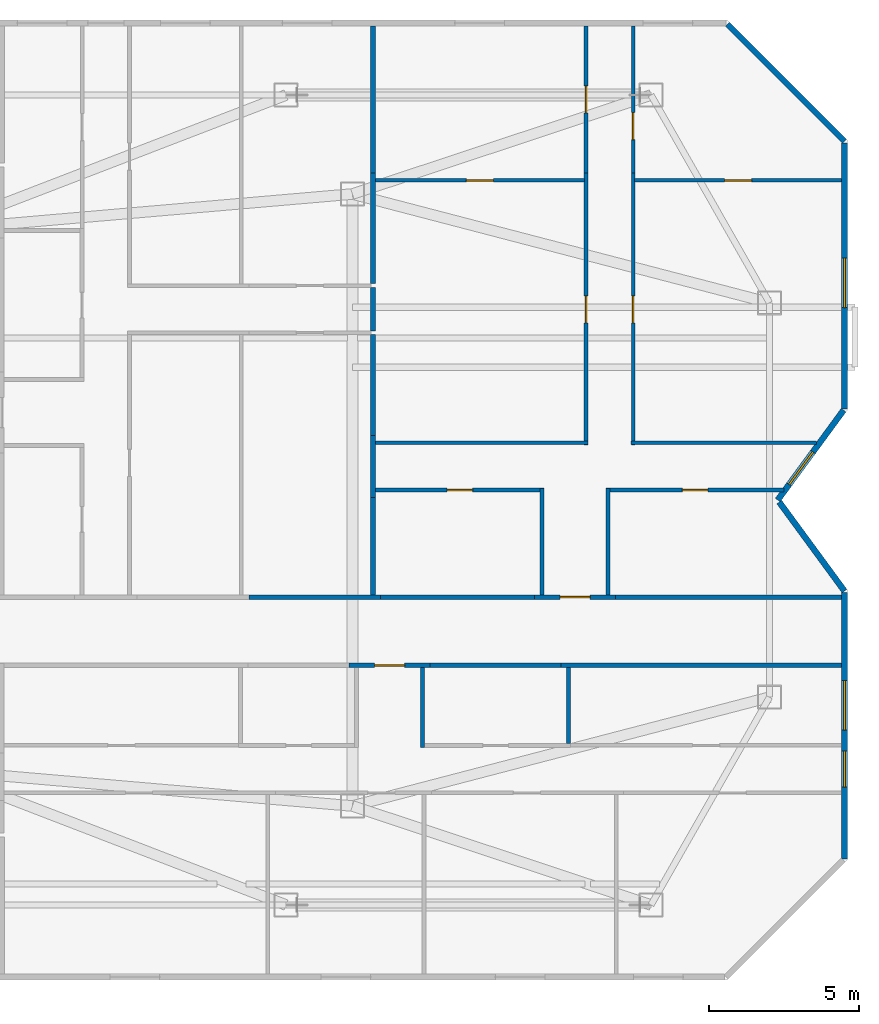
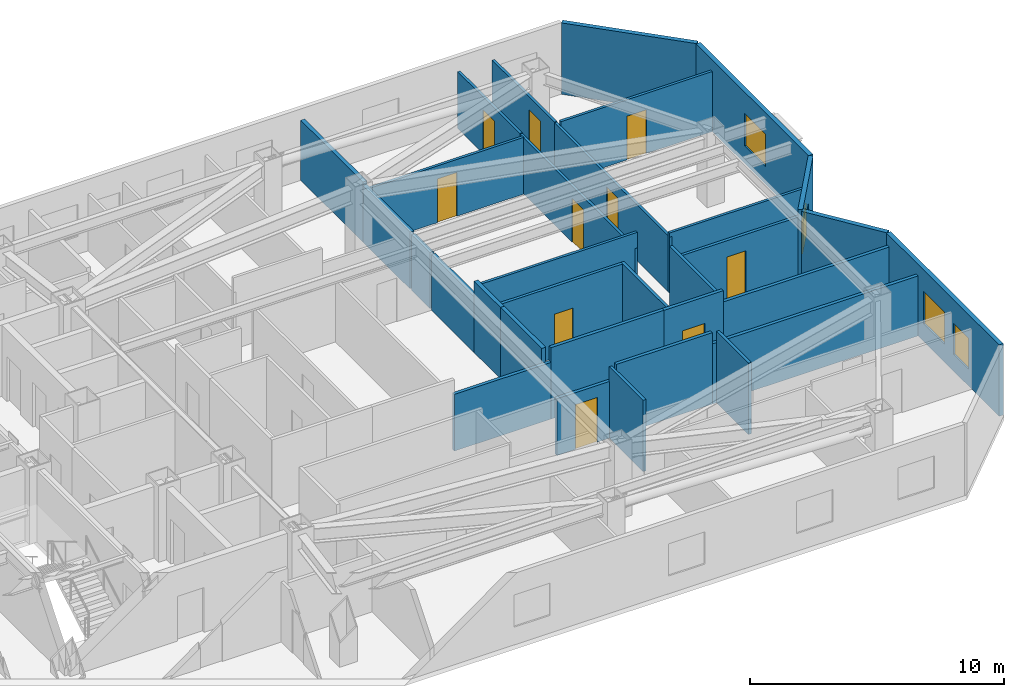
# One storey, part 8 of 10: 32 walls, 10 doors, 4 windows, 14 openings.
"""IFC4 building model written with IfcOpenShell, lengths in metres."""

from ifc_helpers import new_model, si_unit, direction, frame, frame_2d, origin, place, context, subcontext, project, spatial, rectangle, extrude, material, layer, layer_set, type_object, element, fill, save


model = new_model("IFC4")

# Units and contexts
model_context = context("Model", 3, precision=1e-05, world=origin(), true_north=direction((0.0, 1.0)))
body_context = subcontext(model_context, "Body", "Model", "MODEL_VIEW")
ifc_project = project(units=[si_unit("LENGTHUNIT", "METRE"), si_unit("AREAUNIT", "SQUARE_METRE"), si_unit("VOLUMEUNIT", "CUBIC_METRE"), si_unit("PLANEANGLEUNIT", "RADIAN"), si_unit("MASSUNIT", "GRAM", prefix="KILO")], contexts=[model_context])

# Site, building, storey
site_placement = place(None, origin())
site = spatial("IfcSite", under=ifc_project, at=site_placement, CompositionType="ELEMENT")
building_placement = place(site_placement, origin())
building = spatial("IfcBuilding", under=site, at=building_placement, Name="Khamvora Tower", CompositionType="ELEMENT")
storey_placement = place(building_placement, frame((0.0, 0.0, 246.39990234375)))
storey = spatial("IfcBuildingStorey", under=building, at=storey_placement, Name="L63", CompositionType="ELEMENT", Elevation=246.39990234375)

# Wall
ifc_material_1 = material(Name="Fire-Rated Drywall and Steel Stud", Category="steel")
ifc_layer_1 = layer(ifc_material_1, 0.14990234375)
ifc_layer_set_1 = layer_set([ifc_layer_1], Name="Fire-Rated Drywall and Steel Stud")
wall_type_1 = type_object("IfcWallType", Name="WAL-CORR-150", PredefinedType="STANDARD", material=ifc_layer_set_1)
wall_1_placement = place(storey_placement, frame((69.60791015625, 22.485107421875, 0.0), z_axis=(0.0, 0.0, 1.0), x_axis=(-1.0, 0.0, 0.0)))
element("IfcWall", 1, at=wall_1_placement, inside=storey, type_object=wall_type_1, Name="L63 interior partition wall 020", PredefinedType="STANDARD", context=body_context, shape_type="SweptSolid", body=[
    extrude(rectangle(XDim=9.35693359375, YDim=0.14990234375, at=frame_2d((4.678466796875, 0.0))), origin(), (0.0, 0.0, 1.0), 2.88720703125),
])

# Wall, opening, door
wall_2_placement = place(storey_placement, frame((55.884033203125, 22.485107421875, 0.0), z_axis=(0.0, 0.0, 1.0), x_axis=(-1.0, 0.0, 0.0)))
wall_2 = element("IfcWall", 2, at=wall_2_placement, inside=storey, type_object=wall_type_1, Name="L63 interior partition wall 021", PredefinedType="STANDARD", context=body_context, shape_type="SweptSolid", body=[
    extrude(rectangle(XDim=2.697998046875, YDim=0.14990234375, at=frame_2d((1.34912109375, 0.0))), origin(), (0.0, 0.0, 1.0), 2.72509765625),
])
opening_1_placement = place(wall_2_placement, frame((0.84912109375, 0.0, 0.0)))
opening_1 = element("IfcOpeningElement", 3, at=opening_1_placement, cuts=wall_2, Name="Opening D-U1", PredefinedType="OPENING", context=body_context, shape_type="SweptSolid", body=[
    extrude(rectangle(XDim=1.0, YDim=2.14990234375, at=frame_2d((0.5, 1.074951171875))), frame((0.0, 0.0849609375, 0.0), z_axis=(0.0, -1.0, 0.0), x_axis=(1.0, 0.0, 0.0)), (0.0, 0.0, 1.0), 0.169921875),
])
ifc_material_2 = material(Name="Powder-Coated Steel and Hardwood Leaf", Category="steel")
door_type_1 = type_object("IfcDoorType", Name="DOR-UNIT-1000", OperationType="NOTDEFINED", PredefinedType="DOOR", material=ifc_material_2)
door_1_placement = place(opening_1_placement, origin())
door_1 = element("IfcDoor", 4, at=door_1_placement, inside=storey, type_object=door_type_1, Name="L63 interior door COR-63EAH", OperationType="SINGLE_SWING_LEFT", OverallHeight=2.14990234375, OverallWidth=1.0, PredefinedType="DOOR", context=body_context, shape_type="SweptSolid", body=[
    extrude(rectangle(XDim=1.0, YDim=2.14990234375, at=frame_2d((0.5, 1.074951171875))), frame((0.0, 0.02490234375, 0.0), z_axis=(0.0, -1.0, 0.0), x_axis=(1.0, 0.0, 0.0)), (0.0, 0.0, 1.0), 0.050048828125),
])
fill(opening_1, door_1)

# Walls
wall_3_placement = place(storey_placement, frame((60.2509765625, 22.485107421875, 0.0), z_axis=(0.0, 0.0, 1.0), x_axis=(-1.0, 0.0, 0.0)))
element("IfcWall", 5, at=wall_3_placement, inside=storey, type_object=wall_type_1, Name="L63 interior partition wall 024", PredefinedType="STANDARD", context=body_context, shape_type="SweptSolid", body=[
    extrude(rectangle(XDim=4.366943359375, YDim=0.14990234375, at=frame_2d((2.18359375, 0.0))), origin(), (0.0, 0.0, 1.0), 3.43017578125),
])
wall_4_placement = place(storey_placement, frame((49.844970703125, 24.764892578125, 0.0), z_axis=(0.0, 0.0, 1.0), x_axis=(1.0, 0.0, 0.0)))
element("IfcWall", 6, at=wall_4_placement, inside=storey, type_object=wall_type_1, Name="L63 interior partition wall 033", PredefinedType="STANDARD", context=body_context, shape_type="SweptSolid", body=[
    extrude(rectangle(XDim=4.388916015625, YDim=0.14990234375, at=frame_2d((2.1943359375, 0.0))), origin(), (0.0, 0.0, 1.0), 2.72509765625),
])

# Wall, opening, door
wall_5_placement = place(storey_placement, frame((59.37109375, 24.764892578125, 0.0), z_axis=(0.0, 0.0, 1.0), x_axis=(1.0, 0.0, 0.0)))
wall_5 = element("IfcWall", 7, at=wall_5_placement, inside=storey, type_object=wall_type_1, Name="L63 interior partition wall 034", PredefinedType="STANDARD", context=body_context, shape_type="SweptSolid", body=[
    extrude(rectangle(XDim=2.697998046875, YDim=0.14990234375, at=frame_2d((1.34912109375, 0.0))), origin(), (0.0, 0.0, 1.0), 3.43017578125),
])
opening_2_placement = place(wall_5_placement, frame((0.84912109375, 0.0, 0.0)))
opening_2 = element("IfcOpeningElement", 8, at=opening_2_placement, cuts=wall_5, Name="Opening D-U1", PredefinedType="OPENING", context=body_context, shape_type="SweptSolid", body=[
    extrude(rectangle(XDim=1.0, YDim=2.14990234375, at=frame_2d((0.5, 1.074951171875))), frame((0.0, 0.0849609375, 0.0), z_axis=(0.0, -1.0, 0.0), x_axis=(1.0, 0.0, 0.0)), (0.0, 0.0, 1.0), 0.169921875),
])
door_2_placement = place(opening_2_placement, origin())
door_2 = element("IfcDoor", 9, at=door_2_placement, inside=storey, type_object=door_type_1, Name="L63 interior door COR-63ECH", OperationType="SINGLE_SWING_LEFT", OverallHeight=2.14990234375, OverallWidth=1.0, PredefinedType="DOOR", context=body_context, shape_type="SweptSolid", body=[
    extrude(rectangle(XDim=1.0, YDim=2.14990234375, at=frame_2d((0.5, 1.074951171875))), frame((0.0, 0.02490234375, 0.0), z_axis=(0.0, -1.0, 0.0), x_axis=(1.0, 0.0, 0.0)), (0.0, 0.0, 1.0), 0.050048828125),
])
fill(opening_2, door_2)

# Walls
wall_6_placement = place(storey_placement, frame((54.23388671875, 24.764892578125, 0.0), z_axis=(0.0, 0.0, 1.0), x_axis=(1.0, 0.0, 0.0)))
element("IfcWall", 10, at=wall_6_placement, inside=storey, type_object=wall_type_1, Name="L63 interior partition wall 035", PredefinedType="STANDARD", context=body_context, shape_type="SweptSolid", body=[
    extrude(rectangle(XDim=5.13720703125, YDim=0.14990234375, at=frame_2d((2.568603515625, 0.0))), origin(), (0.0, 0.0, 1.0), 3.43017578125),
])
wall_7_placement = place(storey_placement, frame((62.069091796875, 24.764892578125, 0.0), z_axis=(0.0, 0.0, 1.0), x_axis=(1.0, 0.0, 0.0)))
element("IfcWall", 11, at=wall_7_placement, inside=storey, type_object=wall_type_1, Name="L63 interior partition wall 036", PredefinedType="STANDARD", context=body_context, shape_type="SweptSolid", body=[
    extrude(rectangle(XDim=7.538818359375, YDim=0.14990234375, at=frame_2d((3.76953125, 0.0))), origin(), (0.0, 0.0, 1.0), 2.88720703125),
])
ifc_material_3 = material(Name="Acoustic Double-Stud Fire Wall", Category="gypsum")
ifc_layer_2 = layer(ifc_material_3, 0.179931640625)
ifc_layer_set_2 = layer_set([ifc_layer_2], Name="Acoustic Double-Stud Fire Wall")
wall_type_2 = type_object("IfcWallType", Name="WAL-CORR-180", PredefinedType="STANDARD", material=ifc_layer_set_2)
wall_8_placement = place(storey_placement, frame((53.985107421875, 35.080078125, 0.0), z_axis=(0.0, 0.0, 1.0), x_axis=(0.0, -1.0, 0.0)))
element("IfcWall", 12, at=wall_8_placement, inside=storey, type_object=wall_type_2, Name="L63 interior partition wall 089", PredefinedType="STANDARD", context=body_context, shape_type="SweptSolid", body=[
    extrude(rectangle(XDim=1.440185546875, YDim=0.179931640625, at=frame_2d((0.72021484375, 0.0))), origin(), (0.0, 0.0, 1.0), 2.68701171875),
])
wall_9_placement = place(storey_placement, frame((53.985107421875, 30.155029296875, 0.0), z_axis=(0.0, 0.0, 1.0), x_axis=(0.0, -1.0, 0.0)))
element("IfcWall", 13, at=wall_9_placement, inside=storey, type_object=wall_type_2, Name="L63 interior partition wall 091", PredefinedType="STANDARD", context=body_context, shape_type="SweptSolid", body=[
    extrude(rectangle(XDim=2.078125, YDim=0.179931640625, at=frame_2d((1.0390625, 0.0))), origin(), (0.0, 0.0, 1.0), 3.43017578125),
])
wall_10_placement = place(storey_placement, frame((53.985107421875, 28.076904296875, 0.0), z_axis=(0.0, 0.0, 1.0), x_axis=(0.0, -1.0, 0.0)))
element("IfcWall", 14, at=wall_10_placement, inside=storey, type_object=wall_type_2, Name="L63 interior partition wall 092", PredefinedType="STANDARD", context=body_context, shape_type="SweptSolid", body=[
    extrude(rectangle(XDim=3.244873046875, YDim=0.179931640625, at=frame_2d((1.62255859375, 0.0))), origin(), (0.0, 0.0, 1.0), 3.43017578125),
])
wall_11_placement = place(storey_placement, frame((53.985107421875, 33.510009765625, 0.0), z_axis=(0.0, 0.0, 1.0), x_axis=(0.0, -1.0, 0.0)))
element("IfcWall", 15, at=wall_11_placement, inside=storey, type_object=wall_type_2, Name="L63 interior partition wall 093", PredefinedType="STANDARD", context=body_context, shape_type="SweptSolid", body=[
    extrude(rectangle(XDim=3.35498046875, YDim=0.179931640625, at=frame_2d((1.677490234375, 0.0))), origin(), (0.0, 0.0, 1.0), 2.68701171875),
])
wall_12_placement = place(storey_placement, frame((53.985107421875, 38.906005859375, 0.0), z_axis=(0.0, 0.0, 1.0), x_axis=(0.0, -1.0, 0.0)))
element("IfcWall", 16, at=wall_12_placement, inside=storey, type_object=wall_type_2, Name="L63 interior partition wall 095", PredefinedType="STANDARD", context=body_context, shape_type="SweptSolid", body=[
    extrude(rectangle(XDim=3.696044921875, YDim=0.179931640625, at=frame_2d((1.84814453125, 0.0))), origin(), (0.0, 0.0, 1.0), 2.72509765625),
])
wall_13_placement = place(storey_placement, frame((53.985107421875, 43.80810546875, 0.0), z_axis=(0.0, 0.0, 1.0), x_axis=(0.0, -1.0, 0.0)))
element("IfcWall", 17, at=wall_13_placement, inside=storey, type_object=wall_type_2, Name="L63 interior partition wall 096", PredefinedType="STANDARD", context=body_context, shape_type="SweptSolid", body=[
    extrude(rectangle(XDim=4.902099609375, YDim=0.179931640625, at=frame_2d((2.451171875, 0.0))), origin(), (0.0, 0.0, 1.0), 2.88720703125),
])
ifc_material_4 = material(Name="Precast concrete C40/50", Category="concrete")
ifc_layer_3 = layer(ifc_material_4, 0.199951171875)
ifc_layer_set_3 = layer_set([ifc_layer_3], Name="Precast concrete C40/50")
wall_type_3 = type_object("IfcWallType", Name="WAL-EXT-200", PredefinedType="STANDARD", material=ifc_layer_set_3)
wall_14_placement = place(storey_placement, frame((65.802001953125, 43.85693359375, 0.0), z_axis=(0.0, 0.0, 1.0), x_axis=(0.707106781187, -0.707106781187, 0.0)))
element("IfcWall", 18, at=wall_14_placement, inside=storey, type_object=wall_type_3, Name="L63 exterior facade wall 08.1", PredefinedType="STANDARD", context=body_context, shape_type="SweptSolid", body=[
    extrude(rectangle(XDim=5.512451171875, YDim=0.199951171875, at=frame_2d((2.75634765625, 0.0))), origin(), (0.0, 0.0, 1.0), 3.43017578125),
])

# Wall, opening, window
wall_15_placement = place(storey_placement, frame((69.699951171875, 39.89599609375, 0.0), z_axis=(0.0, 0.0, 1.0), x_axis=(0.0, -1.0, 0.0)))
wall_15 = element("IfcWall", 19, at=wall_15_placement, inside=storey, type_object=wall_type_3, Name="L63 exterior facade wall 09.1", PredefinedType="STANDARD", context=body_context, shape_type="SweptSolid", body=[
    extrude(rectangle(XDim=8.863037109375, YDim=0.199951171875, at=frame_2d((4.431640625, 0.0))), origin(), (0.0, 0.0, 1.0), 3.43017578125),
])
opening_3_placement = place(wall_15_placement, frame((3.833984375, 0.0, 0.85009765625)))
opening_3 = element("IfcOpeningElement", 20, at=opening_3_placement, cuts=wall_15, Name="Opening WN-06", PredefinedType="OPENING", context=body_context, shape_type="SweptSolid", body=[
    extrude(rectangle(XDim=1.64990234375, YDim=1.550048828125, at=frame_2d((0.824951171875, 0.77490234375))), frame((0.0, 0.10986328125, 0.0), z_axis=(0.0, -1.0, 0.0), x_axis=(1.0, 0.0, 0.0)), (0.0, 0.0, 1.0), 0.219970703125),
])
ifc_material_5 = material(Name="Low-E Laminated Double Glazing", Category="glass")
window_type_1 = type_object("IfcWindowType", Name="WIN-VIS-1650x1550", PartitioningType="SINGLE_PANEL", PredefinedType="WINDOW", material=ifc_material_5)
window_1_placement = place(opening_3_placement, origin())
window_1 = element("IfcWindow", 21, at=window_1_placement, inside=storey, type_object=window_type_1, Name="L63 vision window 09.1.01", OverallHeight=1.550048828125, OverallWidth=1.64990234375, PartitioningType="SINGLE_PANEL", PredefinedType="WINDOW", context=body_context, shape_type="SweptSolid", body=[
    extrude(rectangle(XDim=1.64990234375, YDim=1.550048828125, at=frame_2d((0.824951171875, 0.77490234375))), frame((0.0, 0.030029296875, 0.0), z_axis=(0.0, -1.0, 0.0), x_axis=(1.0, 0.0, 0.0)), (0.0, 0.0, 1.0), 0.06005859375),
])
fill(opening_3, window_1)

wall_16_placement = place(storey_placement, frame((69.669921875, 30.991943359375, 0.0), z_axis=(0.0, 0.0, 1.0), x_axis=(-0.591320870733, -0.806436375566, 0.0)))
wall_16 = element("IfcWall", 22, at=wall_16_placement, inside=storey, type_object=wall_type_3, Name="L63 exterior facade wall 10.1", PredefinedType="STANDARD", context=body_context, shape_type="SweptSolid", body=[
    extrude(rectangle(XDim=3.7099609375, YDim=0.199951171875, at=frame_2d((1.85498046875, 0.0))), origin(), (0.0, 0.0, 1.0), 3.43017578125),
])
opening_4_placement = place(wall_16_placement, frame((1.722900390625, 0.0, 0.85009765625)))
opening_4 = element("IfcOpeningElement", 23, at=opening_4_placement, cuts=wall_16, Name="Opening WN-07", PredefinedType="OPENING", context=body_context, shape_type="SweptSolid", body=[
    extrude(rectangle(XDim=1.35009765625, YDim=1.5, at=frame_2d((0.675048828125, 0.75))), frame((0.0, 0.10986328125, 0.0), z_axis=(0.0, -1.0, 0.0), x_axis=(1.0, 0.0, 0.0)), (0.0, 0.0, 1.0), 0.219970703125),
])
window_type_2 = type_object("IfcWindowType", Name="WIN-VIS-1350x1500", PartitioningType="SINGLE_PANEL", PredefinedType="WINDOW", material=ifc_material_5)
window_2_placement = place(opening_4_placement, origin())
window_2 = element("IfcWindow", 24, at=window_2_placement, inside=storey, type_object=window_type_2, Name="L63 vision window 10.1.01", OverallHeight=1.5, OverallWidth=1.35009765625, PartitioningType="SINGLE_PANEL", PredefinedType="WINDOW", context=body_context, shape_type="SweptSolid", body=[
    extrude(rectangle(XDim=1.35009765625, YDim=1.5, at=frame_2d((0.675048828125, 0.75))), frame((0.0, 0.030029296875, 0.0), z_axis=(0.0, -1.0, 0.0), x_axis=(1.0, 0.0, 0.0)), (0.0, 0.0, 1.0), 0.06005859375),
])
fill(opening_4, window_2)

# Wall
wall_17_placement = place(storey_placement, frame((67.527099609375, 27.930908203125, 0.0), z_axis=(0.0, 0.0, 1.0), x_axis=(0.591248456881, -0.80648946815, 0.0)))
element("IfcWall", 25, at=wall_17_placement, inside=storey, type_object=wall_type_3, Name="L63 exterior facade wall 11.1", PredefinedType="STANDARD", context=body_context, shape_type="SweptSolid", body=[
    extrude(rectangle(XDim=3.675048828125, YDim=0.199951171875, at=frame_2d((1.83740234375, 0.0))), origin(), (0.0, 0.0, 1.0), 3.43017578125),
])

# Wall, openings, windows
wall_18_placement = place(storey_placement, frame((69.699951171875, 24.916015625, 0.0), z_axis=(0.0, 0.0, 1.0), x_axis=(0.0, -1.0, 0.0)))
wall_18 = element("IfcWall", 26, at=wall_18_placement, inside=storey, type_object=wall_type_3, Name="L63 exterior facade wall 12.1", PredefinedType="STANDARD", context=body_context, shape_type="SweptSolid", body=[
    extrude(rectangle(XDim=8.875, YDim=0.199951171875, at=frame_2d((4.4375, 0.0))), origin(), (0.0, 0.0, 1.0), 3.43017578125),
])
opening_5_placement = place(wall_18_placement, frame((2.93896484375, 0.0, 0.85009765625)))
opening_5 = element("IfcOpeningElement", 27, at=opening_5_placement, cuts=wall_18, Name="Opening WN-06", PredefinedType="OPENING", context=body_context, shape_type="SweptSolid", body=[
    extrude(rectangle(XDim=1.64990234375, YDim=1.550048828125, at=frame_2d((0.824951171875, 0.77490234375))), frame((0.0, 0.10986328125, 0.0), z_axis=(0.0, -1.0, 0.0), x_axis=(1.0, 0.0, 0.0)), (0.0, 0.0, 1.0), 0.219970703125),
])
opening_6_placement = place(wall_18_placement, frame((5.287109375, 0.0, 0.800048828125)))
opening_6 = element("IfcOpeningElement", 28, at=opening_6_placement, cuts=wall_18, Name="Opening WN-03", PredefinedType="OPENING", context=body_context, shape_type="SweptSolid", body=[
    extrude(rectangle(XDim=1.199951171875, YDim=1.5, at=frame_2d((0.60009765625, 0.75))), frame((0.0, 0.10986328125, 0.0), z_axis=(0.0, -1.0, 0.0), x_axis=(1.0, 0.0, 0.0)), (0.0, 0.0, 1.0), 0.219970703125),
])
window_type_3 = type_object("IfcWindowType", Name="WIN-VIS-1200x1500", PartitioningType="SINGLE_PANEL", PredefinedType="WINDOW", material=ifc_material_5)
window_3_placement = place(opening_6_placement, origin())
window_3 = element("IfcWindow", 29, at=window_3_placement, inside=storey, type_object=window_type_3, Name="L63 vision window 12.1.02", OverallHeight=1.5, OverallWidth=1.199951171875, PartitioningType="SINGLE_PANEL", PredefinedType="WINDOW", context=body_context, shape_type="SweptSolid", body=[
    extrude(rectangle(XDim=1.199951171875, YDim=1.5, at=frame_2d((0.60009765625, 0.75))), frame((0.0, 0.030029296875, 0.0), z_axis=(0.0, -1.0, 0.0), x_axis=(1.0, 0.0, 0.0)), (0.0, 0.0, 1.0), 0.06005859375),
])
fill(opening_6, window_3)
window_4_placement = place(opening_5_placement, origin())
window_4 = element("IfcWindow", 30, at=window_4_placement, inside=storey, type_object=window_type_1, Name="L63 vision window 12.1.01", OverallHeight=1.550048828125, OverallWidth=1.64990234375, PartitioningType="SINGLE_PANEL", PredefinedType="WINDOW", context=body_context, shape_type="SweptSolid", body=[
    extrude(rectangle(XDim=1.64990234375, YDim=1.550048828125, at=frame_2d((0.824951171875, 0.77490234375))), frame((0.0, 0.030029296875, 0.0), z_axis=(0.0, -1.0, 0.0), x_axis=(1.0, 0.0, 0.0)), (0.0, 0.0, 1.0), 0.06005859375),
])
fill(opening_5, window_4)

# Wall
ifc_material_6 = material(Name="Gypsum Plasterboard Partition", Category="gypsum")
ifc_layer_4 = layer(ifc_material_6, 0.1201171875)
ifc_layer_set_4 = layer_set([ifc_layer_4], Name="Gypsum Plasterboard Partition")
wall_type_4 = type_object("IfcWallType", Name="WAL-PART-120", PredefinedType="PARTITIONING", material=ifc_layer_set_4)
wall_19_placement = place(storey_placement, frame((54.06689453125, 29.906005859375, 0.0), z_axis=(0.0, 0.0, 1.0), x_axis=(1.0, 0.0, 0.0)))
element("IfcWall", 31, at=wall_19_placement, inside=storey, type_object=wall_type_4, Name="L63 interior partition wall 101", PredefinedType="PARTITIONING", context=body_context, shape_type="SweptSolid", body=[
    extrude(rectangle(XDim=7.0830078125, YDim=0.1201171875, at=frame_2d((3.54150390625, 0.0))), origin(), (0.0, 0.0, 1.0), 3.43017578125),
])

# Wall, opening, door
wall_20_placement = place(storey_placement, frame((61.0849609375, 29.841064453125, 0.0), z_axis=(0.0, 0.0, 1.0), x_axis=(0.0, 1.0, 0.0)))
wall_20 = element("IfcWall", 32, at=wall_20_placement, inside=storey, type_object=wall_type_4, Name="L63 interior partition wall 102", PredefinedType="PARTITIONING", context=body_context, shape_type="SweptSolid", body=[
    extrude(rectangle(XDim=9.06494140625, YDim=0.1201171875, at=frame_2d((4.532470703125, 0.0))), origin(), (0.0, 0.0, 1.0), 2.68701171875),
])
opening_7_placement = place(wall_20_placement, frame((4.06103515625, 0.0, 0.0)))
opening_7 = element("IfcOpeningElement", 33, at=opening_7_placement, cuts=wall_20, Name="Opening D-RM1", PredefinedType="OPENING", context=body_context, shape_type="SweptSolid", body=[
    extrude(rectangle(XDim=0.89990234375, YDim=2.10009765625, at=frame_2d((0.449951171875, 1.050048828125))), frame((0.0, 0.070068359375, 0.0), z_axis=(0.0, -1.0, 0.0), x_axis=(1.0, 0.0, 0.0)), (0.0, 0.0, 1.0), 0.14013671875),
])
door_type_2 = type_object("IfcDoorType", Name="DOR-ROOM-900", OperationType="NOTDEFINED", PredefinedType="DOOR", material=ifc_material_2)
door_3_placement = place(opening_7_placement, origin())
door_3 = element("IfcDoor", 34, at=door_3_placement, inside=storey, type_object=door_type_2, Name="L63 interior door 63ECH-63ECR1", OperationType="SINGLE_SWING_LEFT", OverallHeight=2.10009765625, OverallWidth=0.89990234375, PredefinedType="DOOR", context=body_context, shape_type="SweptSolid", body=[
    extrude(rectangle(XDim=0.89990234375, YDim=2.10009765625, at=frame_2d((0.449951171875, 1.050048828125))), frame((0.0, 0.02490234375, 0.0), z_axis=(0.0, -1.0, 0.0), x_axis=(1.0, 0.0, 0.0)), (0.0, 0.0, 1.0), 0.050048828125),
])
fill(opening_7, door_3)

wall_21_placement = place(storey_placement, frame((61.0849609375, 38.906005859375, 0.0), z_axis=(0.0, 0.0, 1.0), x_axis=(0.0, 1.0, 0.0)))
wall_21 = element("IfcWall", 35, at=wall_21_placement, inside=storey, type_object=wall_type_4, Name="L63 interior partition wall 103", PredefinedType="PARTITIONING", context=body_context, shape_type="SweptSolid", body=[
    extrude(rectangle(XDim=4.902099609375, YDim=0.1201171875, at=frame_2d((2.451171875, 0.0))), origin(), (0.0, 0.0, 1.0), 2.72509765625),
])
opening_8_placement = place(wall_21_placement, frame((2.0009765625, 0.0, 0.0)))
opening_8 = element("IfcOpeningElement", 36, at=opening_8_placement, cuts=wall_21, Name="Opening D-RM1", PredefinedType="OPENING", context=body_context, shape_type="SweptSolid", body=[
    extrude(rectangle(XDim=0.89990234375, YDim=2.10009765625, at=frame_2d((0.449951171875, 1.050048828125))), frame((0.0, 0.070068359375, 0.0), z_axis=(0.0, -1.0, 0.0), x_axis=(1.0, 0.0, 0.0)), (0.0, 0.0, 1.0), 0.14013671875),
])
door_4_placement = place(opening_8_placement, origin())
door_4 = element("IfcDoor", 37, at=door_4_placement, inside=storey, type_object=door_type_2, Name="L63 interior door 63ECH-63ECR2", OperationType="SINGLE_SWING_RIGHT", OverallHeight=2.10009765625, OverallWidth=0.89990234375, PredefinedType="DOOR", context=body_context, shape_type="SweptSolid", body=[
    extrude(rectangle(XDim=0.89990234375, YDim=2.10009765625, at=frame_2d((0.449951171875, 1.050048828125))), frame((0.0, 0.02490234375, 0.0), z_axis=(0.0, -1.0, 0.0), x_axis=(1.0, 0.0, 0.0)), (0.0, 0.0, 1.0), 0.050048828125),
])
fill(opening_8, door_4)

wall_22_placement = place(storey_placement, frame((62.655029296875, 38.906005859375, 0.0), z_axis=(0.0, 0.0, 1.0), x_axis=(0.0, -1.0, 0.0)))
wall_22 = element("IfcWall", 38, at=wall_22_placement, inside=storey, type_object=wall_type_4, Name="L63 interior partition wall 104", PredefinedType="PARTITIONING", context=body_context, shape_type="SweptSolid", body=[
    extrude(rectangle(XDim=9.06494140625, YDim=0.1201171875, at=frame_2d((4.532470703125, 0.0))), origin(), (0.0, 0.0, 1.0), 2.68701171875),
])
opening_9_placement = place(wall_22_placement, frame((4.10302734375, 0.0, 0.0)))
opening_9 = element("IfcOpeningElement", 39, at=opening_9_placement, cuts=wall_22, Name="Opening D-RM1", PredefinedType="OPENING", context=body_context, shape_type="SweptSolid", body=[
    extrude(rectangle(XDim=0.89990234375, YDim=2.10009765625, at=frame_2d((0.449951171875, 1.050048828125))), frame((0.0, 0.070068359375, 0.0), z_axis=(0.0, -1.0, 0.0), x_axis=(1.0, 0.0, 0.0)), (0.0, 0.0, 1.0), 0.14013671875),
])
door_5_placement = place(opening_9_placement, origin())
door_5 = element("IfcDoor", 40, at=door_5_placement, inside=storey, type_object=door_type_2, Name="L63 interior door 63ECH-63ECR3", OperationType="SINGLE_SWING_LEFT", OverallHeight=2.10009765625, OverallWidth=0.89990234375, PredefinedType="DOOR", context=body_context, shape_type="SweptSolid", body=[
    extrude(rectangle(XDim=0.89990234375, YDim=2.10009765625, at=frame_2d((0.449951171875, 1.050048828125))), frame((0.0, 0.02490234375, 0.0), z_axis=(0.0, -1.0, 0.0), x_axis=(1.0, 0.0, 0.0)), (0.0, 0.0, 1.0), 0.050048828125),
])
fill(opening_9, door_5)

# Wall
wall_23_placement = place(storey_placement, frame((62.590087890625, 29.906005859375, 0.0), z_axis=(0.0, 0.0, 1.0), x_axis=(1.0, 0.0, 0.0)))
element("IfcWall", 41, at=wall_23_placement, inside=storey, type_object=wall_type_4, Name="L63 interior partition wall 105", PredefinedType="PARTITIONING", context=body_context, shape_type="SweptSolid", body=[
    extrude(rectangle(XDim=6.179931640625, YDim=0.1201171875, at=frame_2d((3.08984375, 0.0))), origin(), (0.0, 0.0, 1.0), 2.88720703125),
])

# Wall, opening, door
wall_24_placement = place(storey_placement, frame((62.655029296875, 43.80810546875, 0.0), z_axis=(0.0, 0.0, 1.0), x_axis=(0.0, -1.0, 0.0)))
wall_24 = element("IfcWall", 42, at=wall_24_placement, inside=storey, type_object=wall_type_4, Name="L63 interior partition wall 106", PredefinedType="PARTITIONING", context=body_context, shape_type="SweptSolid", body=[
    extrude(rectangle(XDim=4.902099609375, YDim=0.1201171875, at=frame_2d((2.451171875, 0.0))), origin(), (0.0, 0.0, 1.0), 2.72509765625),
])
opening_10_placement = place(wall_24_placement, frame((2.89404296875, 0.0, 0.0)))
opening_10 = element("IfcOpeningElement", 43, at=opening_10_placement, cuts=wall_24, Name="Opening D-RM1", PredefinedType="OPENING", context=body_context, shape_type="SweptSolid", body=[
    extrude(rectangle(XDim=0.89990234375, YDim=2.10009765625, at=frame_2d((0.449951171875, 1.050048828125))), frame((0.0, 0.070068359375, 0.0), z_axis=(0.0, -1.0, 0.0), x_axis=(1.0, 0.0, 0.0)), (0.0, 0.0, 1.0), 0.14013671875),
])
door_6_placement = place(opening_10_placement, origin())
door_6 = element("IfcDoor", 44, at=door_6_placement, inside=storey, type_object=door_type_2, Name="L63 interior door 63ECH-63ECR4", OperationType="SINGLE_SWING_RIGHT", OverallHeight=2.10009765625, OverallWidth=0.89990234375, PredefinedType="DOOR", context=body_context, shape_type="SweptSolid", body=[
    extrude(rectangle(XDim=0.89990234375, YDim=2.10009765625, at=frame_2d((0.449951171875, 1.050048828125))), frame((0.0, 0.02490234375, 0.0), z_axis=(0.0, -1.0, 0.0), x_axis=(1.0, 0.0, 0.0)), (0.0, 0.0, 1.0), 0.050048828125),
])
fill(opening_10, door_6)

wall_25_placement = place(storey_placement, frame((54.06689453125, 38.656982421875, 0.0), z_axis=(0.0, 0.0, 1.0), x_axis=(1.0, 0.0, 0.0)))
wall_25 = element("IfcWall", 45, at=wall_25_placement, inside=storey, type_object=wall_type_4, Name="L63 interior partition wall 107", PredefinedType="PARTITIONING", context=body_context, shape_type="SweptSolid", body=[
    extrude(rectangle(XDim=6.964111328125, YDim=0.1201171875, at=frame_2d((3.48193359375, 0.0))), origin(), (0.0, 0.0, 1.0), 2.72509765625),
])
opening_11_placement = place(wall_25_placement, frame((3.031982421875, 0.0, 0.0)))
opening_11 = element("IfcOpeningElement", 46, at=opening_11_placement, cuts=wall_25, Name="Opening D-RM1", PredefinedType="OPENING", context=body_context, shape_type="SweptSolid", body=[
    extrude(rectangle(XDim=0.89990234375, YDim=2.10009765625, at=frame_2d((0.449951171875, 1.050048828125))), frame((0.0, 0.070068359375, 0.0), z_axis=(0.0, -1.0, 0.0), x_axis=(1.0, 0.0, 0.0)), (0.0, 0.0, 1.0), 0.14013671875),
])
door_7_placement = place(opening_11_placement, origin())
door_7 = element("IfcDoor", 47, at=door_7_placement, inside=storey, type_object=door_type_2, Name="L63 interior door 63ECR1-63ECR2", OperationType="SINGLE_SWING_LEFT", OverallHeight=2.10009765625, OverallWidth=0.89990234375, PredefinedType="DOOR", context=body_context, shape_type="SweptSolid", body=[
    extrude(rectangle(XDim=0.89990234375, YDim=2.10009765625, at=frame_2d((0.449951171875, 1.050048828125))), frame((0.0, 0.02490234375, 0.0), z_axis=(0.0, -1.0, 0.0), x_axis=(1.0, 0.0, 0.0)), (0.0, 0.0, 1.0), 0.050048828125),
])
fill(opening_11, door_7)

wall_26_placement = place(storey_placement, frame((62.708984375, 38.656982421875, 0.0), z_axis=(0.0, 0.0, 1.0), x_axis=(1.0, 0.0, 0.0)))
wall_26 = element("IfcWall", 48, at=wall_26_placement, inside=storey, type_object=wall_type_4, Name="L63 interior partition wall 108", PredefinedType="PARTITIONING", context=body_context, shape_type="SweptSolid", body=[
    extrude(rectangle(XDim=6.89892578125, YDim=0.1201171875, at=frame_2d((3.449462890625, 0.0))), origin(), (0.0, 0.0, 1.0), 2.88720703125),
])
opening_12_placement = place(wall_26_placement, frame((2.9990234375, 0.0, 0.0)))
opening_12 = element("IfcOpeningElement", 49, at=opening_12_placement, cuts=wall_26, Name="Opening D-RM1", PredefinedType="OPENING", context=body_context, shape_type="SweptSolid", body=[
    extrude(rectangle(XDim=0.89990234375, YDim=2.10009765625, at=frame_2d((0.449951171875, 1.050048828125))), frame((0.0, 0.070068359375, 0.0), z_axis=(0.0, -1.0, 0.0), x_axis=(1.0, 0.0, 0.0)), (0.0, 0.0, 1.0), 0.14013671875),
])
door_8_placement = place(opening_12_placement, origin())
door_8 = element("IfcDoor", 50, at=door_8_placement, inside=storey, type_object=door_type_2, Name="L63 interior door 63ECR3-63ECR4", OperationType="SINGLE_SWING_RIGHT", OverallHeight=2.10009765625, OverallWidth=0.89990234375, PredefinedType="DOOR", context=body_context, shape_type="SweptSolid", body=[
    extrude(rectangle(XDim=0.89990234375, YDim=2.10009765625, at=frame_2d((0.449951171875, 1.050048828125))), frame((0.0, 0.02490234375, 0.0), z_axis=(0.0, -1.0, 0.0), x_axis=(1.0, 0.0, 0.0)), (0.0, 0.0, 1.0), 0.050048828125),
])
fill(opening_12, door_8)

# Walls
ifc_material_7 = material(Name="Moisture-Resistant Plasterboard Partition", Category="gypsum")
ifc_layer_5 = layer(ifc_material_7, 0.135009765625)
ifc_layer_set_5 = layer_set([ifc_layer_5], Name="Moisture-Resistant Plasterboard Partition")
wall_type_5 = type_object("IfcWallType", Name="WAL-WET-135", PredefinedType="PARTITIONING", material=ifc_layer_set_5)
wall_27_placement = place(storey_placement, frame((60.5, 19.884033203125, 0.0), z_axis=(0.0, 0.0, 1.0), x_axis=(0.0, 1.0, 0.0)))
element("IfcWall", 51, at=wall_27_placement, inside=storey, type_object=wall_type_5, Name="L63 interior partition wall 065", PredefinedType="PARTITIONING", context=body_context, shape_type="SweptSolid", body=[
    extrude(rectangle(XDim=2.533935546875, YDim=0.135009765625, at=frame_2d((1.26708984375, 0.0))), origin(), (0.0, 0.0, 1.0), 3.43017578125),
])
wall_28_placement = place(storey_placement, frame((55.635009765625, 22.41796875, 0.0), z_axis=(0.0, 0.0, 1.0), x_axis=(0.0, -1.0, 0.0)))
element("IfcWall", 52, at=wall_28_placement, inside=storey, type_object=wall_type_5, Name="L63 interior partition wall 068", PredefinedType="PARTITIONING", context=body_context, shape_type="SweptSolid", body=[
    extrude(rectangle(XDim=2.6640625, YDim=0.135009765625, at=frame_2d((1.33203125, 0.0))), origin(), (0.0, 0.0, 1.0), 3.43017578125),
])
wall_29_placement = place(storey_placement, frame((59.6201171875, 24.83203125, 0.0), z_axis=(0.0, 0.0, 1.0), x_axis=(0.0, 1.0, 0.0)))
element("IfcWall", 53, at=wall_29_placement, inside=storey, type_object=wall_type_5, Name="L63 interior partition wall 097", PredefinedType="PARTITIONING", context=body_context, shape_type="SweptSolid", body=[
    extrude(rectangle(XDim=3.55908203125, YDim=0.135009765625, at=frame_2d((1.779541015625, 0.0))), origin(), (0.0, 0.0, 1.0), 3.43017578125),
])

# Wall, opening, door
wall_30_placement = place(storey_placement, frame((59.68505859375, 28.325927734375, 0.0), z_axis=(0.0, 0.0, 1.0), x_axis=(-1.0, 0.0, 0.0)))
wall_30 = element("IfcWall", 54, at=wall_30_placement, inside=storey, type_object=wall_type_5, Name="L63 interior partition wall 098", PredefinedType="PARTITIONING", context=body_context, shape_type="SweptSolid", body=[
    extrude(rectangle(XDim=5.6181640625, YDim=0.135009765625, at=frame_2d((2.80908203125, 0.0))), origin(), (0.0, 0.0, 1.0), 3.43017578125),
])
opening_13_placement = place(wall_30_placement, frame((2.384033203125, 0.0, 0.0)))
opening_13 = element("IfcOpeningElement", 55, at=opening_13_placement, cuts=wall_30, Name="Opening D-WC1", PredefinedType="OPENING", context=body_context, shape_type="SweptSolid", body=[
    extrude(rectangle(XDim=0.85009765625, YDim=2.10009765625, at=frame_2d((0.425048828125, 1.050048828125))), frame((0.0, 0.077392578125, 0.0), z_axis=(0.0, -1.0, 0.0), x_axis=(1.0, 0.0, 0.0)), (0.0, 0.0, 1.0), 0.155029296875),
])
door_type_3 = type_object("IfcDoorType", Name="DOR-WET-850", OperationType="NOTDEFINED", PredefinedType="DOOR", material=ifc_material_2)
door_9_placement = place(opening_13_placement, origin())
door_9 = element("IfcDoor", 56, at=door_9_placement, inside=storey, type_object=door_type_3, Name="L63 interior door 63ECH-63ECB", OperationType="SINGLE_SWING_LEFT", OverallHeight=2.10009765625, OverallWidth=0.85009765625, PredefinedType="DOOR", context=body_context, shape_type="SweptSolid", body=[
    extrude(rectangle(XDim=0.85009765625, YDim=2.10009765625, at=frame_2d((0.425048828125, 1.050048828125))), frame((0.0, 0.02490234375, 0.0), z_axis=(0.0, -1.0, 0.0), x_axis=(1.0, 0.0, 0.0)), (0.0, 0.0, 1.0), 0.050048828125),
])
fill(opening_13, door_9)

wall_31_placement = place(storey_placement, frame((67.68603515625, 28.325927734375, 0.0), z_axis=(0.0, 0.0, 1.0), x_axis=(-1.0, 0.0, 0.0)))
wall_31 = element("IfcWall", 57, at=wall_31_placement, inside=storey, type_object=wall_type_5, Name="L63 interior partition wall 099", PredefinedType="PARTITIONING", context=body_context, shape_type="SweptSolid", body=[
    extrude(rectangle(XDim=5.93115234375, YDim=0.135009765625, at=frame_2d((2.965576171875, 0.0))), origin(), (0.0, 0.0, 1.0), 2.88720703125),
])
opening_14_placement = place(wall_31_placement, frame((2.541015625, 0.0, 0.0)))
opening_14 = element("IfcOpeningElement", 58, at=opening_14_placement, cuts=wall_31, Name="Opening D-RM2", PredefinedType="OPENING", context=body_context, shape_type="SweptSolid", body=[
    extrude(rectangle(XDim=0.85009765625, YDim=2.10009765625, at=frame_2d((0.425048828125, 1.050048828125))), frame((0.0, 0.077392578125, 0.0), z_axis=(0.0, -1.0, 0.0), x_axis=(1.0, 0.0, 0.0)), (0.0, 0.0, 1.0), 0.155029296875),
])
door_type_4 = type_object("IfcDoorType", Name="DOR-ROOM-850", OperationType="NOTDEFINED", PredefinedType="DOOR", material=ifc_material_2)
door_10_placement = place(opening_14_placement, origin())
door_10 = element("IfcDoor", 59, at=door_10_placement, inside=storey, type_object=door_type_4, Name="L63 interior door 63ECH-63ECK", OperationType="SINGLE_SWING_RIGHT", OverallHeight=2.10009765625, OverallWidth=0.85009765625, PredefinedType="DOOR", context=body_context, shape_type="SweptSolid", body=[
    extrude(rectangle(XDim=0.85009765625, YDim=2.10009765625, at=frame_2d((0.425048828125, 1.050048828125))), frame((0.0, 0.02490234375, 0.0), z_axis=(0.0, -1.0, 0.0), x_axis=(1.0, 0.0, 0.0)), (0.0, 0.0, 1.0), 0.050048828125),
])
fill(opening_14, door_10)

# Wall
wall_32_placement = place(storey_placement, frame((61.820068359375, 28.39111328125, 0.0), z_axis=(0.0, 0.0, 1.0), x_axis=(0.0, -1.0, 0.0)))
element("IfcWall", 60, at=wall_32_placement, inside=storey, type_object=wall_type_5, Name="L63 interior partition wall 100", PredefinedType="PARTITIONING", context=body_context, shape_type="SweptSolid", body=[
    extrude(rectangle(XDim=3.55908203125, YDim=0.135009765625, at=frame_2d((1.779541015625, 0.0))), origin(), (0.0, 0.0, 1.0), 3.43017578125),
])

save(model, "model.ifc")
